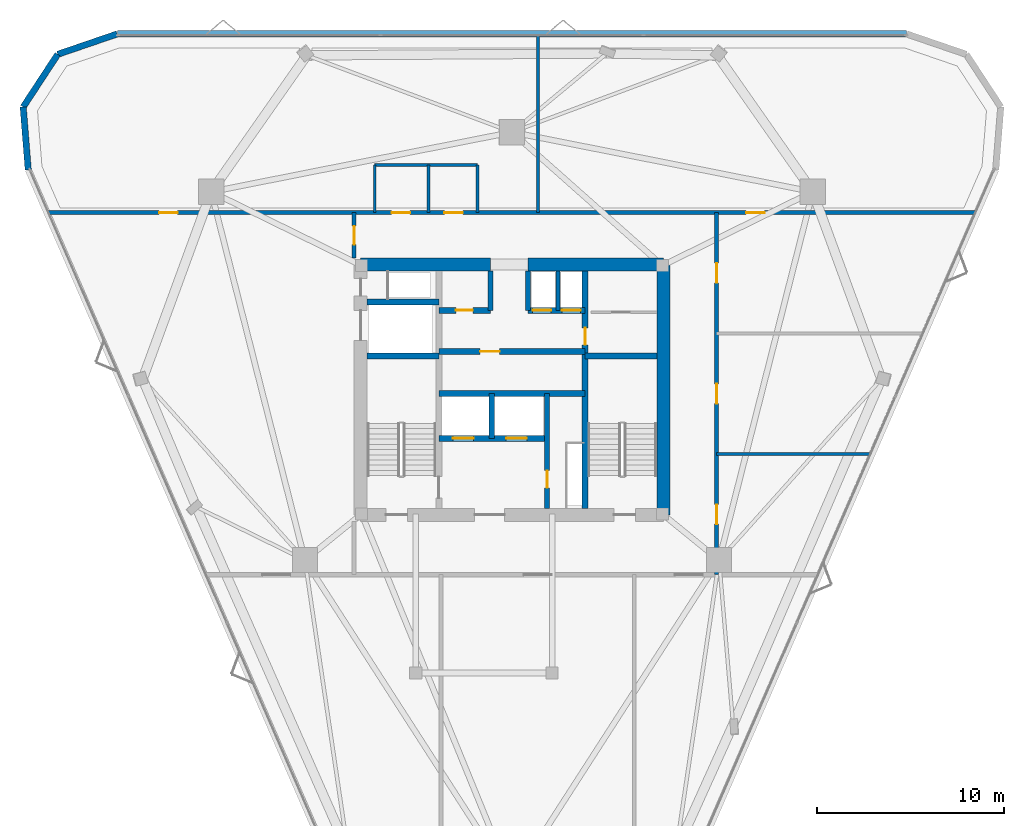
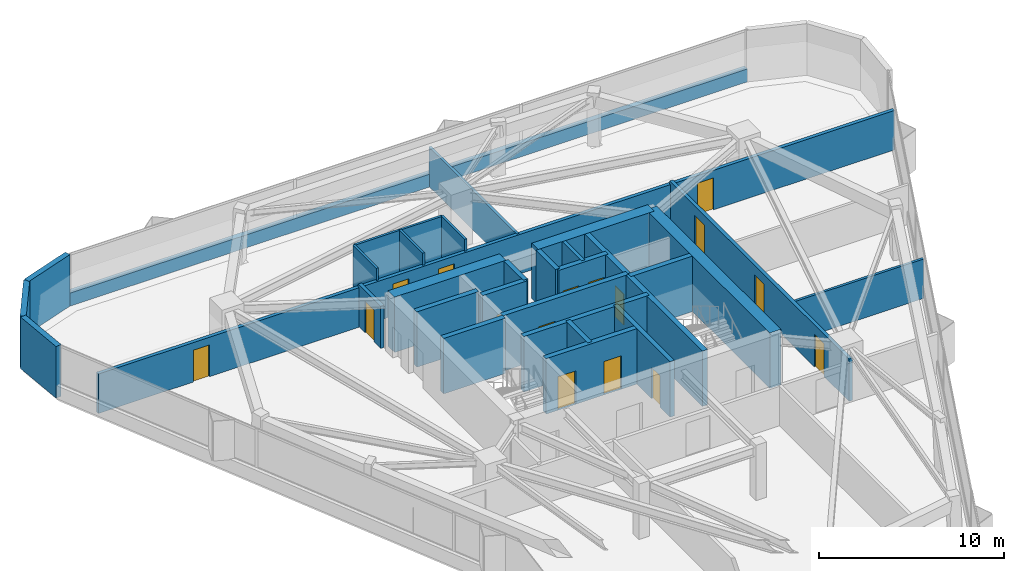
# One storey, part 10 of 13: 30 walls, 16 doors, 16 openings.
"""IFC4 building model written with IfcOpenShell, lengths in metres."""

from ifc_helpers import new_model, si_unit, direction, frame, frame_2d, origin, place, context, subcontext, project, spatial, rectangle, extrude, material, layer, layer_set, type_object, element, fill, save


model = new_model("IFC4")

# Units and contexts
model_context = context("Model", 3, precision=1e-05, world=origin(), true_north=direction((0.0, 1.0)))
body_context = subcontext(model_context, "Body", "Model", "MODEL_VIEW")
ifc_project = project(units=[si_unit("LENGTHUNIT", "METRE"), si_unit("AREAUNIT", "SQUARE_METRE"), si_unit("VOLUMEUNIT", "CUBIC_METRE"), si_unit("PLANEANGLEUNIT", "RADIAN"), si_unit("MASSUNIT", "GRAM", prefix="KILO")], contexts=[model_context])

# Site, building, storey
site_placement = place(None, origin())
site = spatial("IfcSite", under=ifc_project, at=site_placement, CompositionType="ELEMENT")
building_placement = place(site_placement, origin())
building = spatial("IfcBuilding", under=site, at=building_placement, Name="Talyreon Biosciences Tower", CompositionType="ELEMENT")
storey_placement = place(building_placement, frame((0.0, 0.0, 190.35009765625)))
storey = spatial("IfcBuildingStorey", under=building, at=storey_placement, Name="L50", CompositionType="ELEMENT", Elevation=190.35009765625)

# Walls
ifc_material_1 = material(Name="Concrete C50/60", Category="concrete")
ifc_layer_1 = layer(ifc_material_1, 0.219970703125)
ifc_layer_set_1 = layer_set([ifc_layer_1], Name="Concrete C50/60")
wall_type_1 = type_object("IfcWallType", Name="CoreShearWall_220", PredefinedType="SHEAR", material=ifc_layer_set_1)
wall_1_placement = place(storey_placement, frame((68.4599609375, 72.25, 0.0), z_axis=(0.0, 0.0, 1.0), x_axis=(0.0, 1.0, 0.0)))
element("IfcWall", 1, at=wall_1_placement, inside=storey, type_object=wall_type_1, Name="L50 Core Shaft Wall SWPHD", PredefinedType="SHEAR", context=body_context, shape_type="SweptSolid", body=[
    extrude(rectangle(XDim=2.10009765625, YDim=0.219970703125, at=frame_2d((1.050048828125, 0.0))), origin(), (0.0, 0.0, 1.0), 3.64990234375),
])
ifc_layer_2 = layer(ifc_material_1, 0.280029296875)
ifc_layer_set_2 = layer_set([ifc_layer_2], Name="Concrete C50/60")
wall_type_2 = type_object("IfcWallType", Name="CoreShearWall_280", PredefinedType="SHEAR", material=ifc_layer_set_2)
wall_2_placement = place(storey_placement, frame((64.919921875, 65.39990234375, 0.0), z_axis=(0.0, 0.0, 1.0), x_axis=(0.0, 1.0, 0.0)))
element("IfcWall", 2, at=wall_2_placement, inside=storey, type_object=wall_type_2, Name="L50 Core Shaft Wall SWSHD1", PredefinedType="SHEAR", context=body_context, shape_type="SweptSolid", body=[
    extrude(rectangle(XDim=2.400146484375, YDim=0.280029296875, at=frame_2d((1.2001953125, 0.0))), origin(), (0.0, 0.0, 1.0), 3.64990234375),
])
for number, where, z_axis, x_axis, name in (
    (3, (64.85009765625, 72.25, 0.0), (0.0, 0.0, 1.0), (0.0, 1.0, 0.0), "L50 Core Shaft Wall SWTHW"),
    (4, (66.85009765625, 72.25, 0.0), (0.0, 0.0, 1.0), (0.0, 1.0, 0.0), "L50 Core Shaft Wall SWTHE"),
):
    element("IfcWall", number, at=place(storey_placement, frame(where, z_axis=z_axis, x_axis=x_axis)), inside=storey, type_object=wall_type_2, Name=name, PredefinedType="SHEAR", context=body_context, shape_type="SweptSolid", body=[
        extrude(rectangle(XDim=2.10009765625, YDim=0.280029296875, at=frame_2d((1.050048828125, 0.0))), origin(), (0.0, 0.0, 1.0), 3.64990234375),
    ])

# Wall, opening, door
wall_3_placement = place(storey_placement, frame((67.8798828125, 61.64990234375, 0.0), z_axis=(0.0, 0.0, 1.0), x_axis=(0.0, 1.0, 0.0)))
wall_3 = element("IfcWall", 5, at=wall_3_placement, inside=storey, type_object=wall_type_2, Name="L50 Core Shaft Wall SWFFE", PredefinedType="SHEAR", context=body_context, shape_type="SweptSolid", body=[
    extrude(rectangle(XDim=6.150146484375, YDim=0.280029296875, at=frame_2d((3.0751953125, 0.0))), origin(), (0.0, 0.0, 1.0), 3.64990234375),
])
opening_1_placement = place(wall_3_placement, frame((1.10009765625, 0.0, 0.0)))
opening_1 = element("IfcOpeningElement", 6, at=opening_1_placement, cuts=wall_3, Name="Opening DR-L50-RSE", PredefinedType="OPENING", context=body_context, shape_type="SweptSolid", body=[
    extrude(rectangle(XDim=0.919921875, YDim=2.050048828125, at=frame_2d((0.4599609375, 1.02490234375))), frame((0.0, 0.14990234375, 0.0), z_axis=(0.0, -1.0, 0.0), x_axis=(1.0, 0.0, 0.0)), (0.0, 0.0, 1.0), 0.300048828125),
])
ifc_material_2 = material(Name="Painted steel fire-rated riser door", Category="steel")
door_type_1 = type_object("IfcDoorType", Name="RiserPlantAccessDoor_920x2050", OperationType="NOTDEFINED", PredefinedType="DOOR", material=ifc_material_2)
door_1_placement = place(opening_1_placement, origin())
door_1 = element("IfcDoor", 7, at=door_1_placement, inside=storey, type_object=door_type_1, Name="L50 Core Door DR-L50-RSE", OperationType="SINGLE_SWING_RIGHT", OverallHeight=2.050048828125, OverallWidth=0.919921875, PredefinedType="DOOR", context=body_context, shape_type="SweptSolid", body=[
    extrude(rectangle(XDim=0.919921875, YDim=2.050048828125, at=frame_2d((0.4599609375, 1.02490234375))), frame((0.0, 0.02490234375, 0.0), z_axis=(0.0, -1.0, 0.0), x_axis=(1.0, 0.0, 0.0)), (0.0, 0.0, 1.0), 0.050048828125),
])
fill(opening_1, door_1)

ifc_layer_3 = layer(ifc_material_1, 0.320068359375)
ifc_layer_set_3 = layer_set([ifc_layer_3], Name="Concrete C50/60")
wall_type_3 = type_object("IfcWallType", Name="CoreShearWall_320", PredefinedType="SHEAR", material=ifc_layer_set_3)
wall_4_placement = place(storey_placement, frame((69.909912109375, 61.64990234375, 0.0), z_axis=(0.0, 0.0, 1.0), x_axis=(0.0, 1.0, 0.0)))
wall_4 = element("IfcWall", 8, at=wall_4_placement, inside=storey, type_object=wall_type_3, Name="L50 Core Shaft Wall SW2W", PredefinedType="SHEAR", context=body_context, shape_type="SweptSolid", body=[
    extrude(rectangle(XDim=12.7001953125, YDim=0.320068359375, at=frame_2d((6.35009765625, 0.0))), origin(), (0.0, 0.0, 1.0), 3.64990234375),
])
opening_2_placement = place(wall_4_placement, frame((8.75, 0.0, 0.0)))
opening_2 = element("IfcOpeningElement", 9, at=opening_2_placement, cuts=wall_4, Name="Opening DR-L50-CSRV", PredefinedType="OPENING", context=body_context, shape_type="SweptSolid", body=[
    extrude(rectangle(XDim=0.919921875, YDim=2.050048828125, at=frame_2d((0.4599609375, 1.02490234375))), frame((0.0, 0.169921875, 0.0), z_axis=(0.0, -1.0, 0.0), x_axis=(1.0, 0.0, 0.0)), (0.0, 0.0, 1.0), 0.340087890625),
])
door_2_placement = place(opening_2_placement, origin())
door_2 = element("IfcDoor", 10, at=door_2_placement, inside=storey, type_object=door_type_1, Name="L50 Core Door DR-L50-CSRV", OperationType="SINGLE_SWING_RIGHT", OverallHeight=2.050048828125, OverallWidth=0.919921875, PredefinedType="DOOR", context=body_context, shape_type="SweptSolid", body=[
    extrude(rectangle(XDim=0.919921875, YDim=2.050048828125, at=frame_2d((0.4599609375, 1.02490234375))), frame((0.0, 0.02490234375, 0.0), z_axis=(0.0, -1.0, 0.0), x_axis=(1.0, 0.0, 0.0)), (0.0, 0.0, 1.0), 0.050048828125),
])
fill(opening_2, door_2)

# Walls
for number, where, z_axis, x_axis, name in (
    (11, (58.25, 69.81005859375, 0.0), (0.0, 0.0, 1.0), (1.0, 0.0, 0.0), "L50 Core Shaft Wall SW1N"),
    (12, (69.909912109375, 69.81005859375, 0.0), (0.0, 0.0, 1.0), (1.0, 0.0, 0.0), "L50 Core Shaft Wall SW2N"),
    (13, (58.25, 72.699951171875, 0.0), (0.0, 0.0, 1.0), (1.0, 0.0, 0.0), "L50 Core Shaft Wall SWGLN"),
):
    element("IfcWall", number, at=place(storey_placement, frame(where, z_axis=z_axis, x_axis=x_axis)), inside=storey, type_object=wall_type_3, Name=name, PredefinedType="SHEAR", context=body_context, shape_type="SweptSolid", body=[
        extrude(rectangle(XDim=3.840087890625, YDim=0.320068359375, at=frame_2d((1.919921875, 0.0))), origin(), (0.0, 0.0, 1.0), 3.64990234375),
    ])
wall_5_placement = place(storey_placement, frame((62.090087890625, 67.800048828125, 0.0), z_axis=(0.0, 0.0, 1.0), x_axis=(1.0, 0.0, 0.0)))
element("IfcWall", 14, at=wall_5_placement, inside=storey, type_object=wall_type_3, Name="L50 Core Shaft Wall SWSHM", PredefinedType="SHEAR", context=body_context, shape_type="SweptSolid", body=[
    extrude(rectangle(XDim=7.81982421875, YDim=0.320068359375, at=frame_2d((3.909912109375, 0.0))), origin(), (0.0, 0.0, 1.0), 3.64990234375),
])

# Wall, opening, door
wall_6_placement = place(storey_placement, frame((62.090087890625, 70.050048828125, 0.0), z_axis=(0.0, 0.0, 1.0), x_axis=(1.0, 0.0, 0.0)))
wall_6 = element("IfcWall", 15, at=wall_6_placement, inside=storey, type_object=wall_type_3, Name="L50 Core Shaft Wall SWSPN", PredefinedType="SHEAR", context=body_context, shape_type="SweptSolid", body=[
    extrude(rectangle(XDim=7.81982421875, YDim=0.320068359375, at=frame_2d((3.909912109375, 0.0))), origin(), (0.0, 0.0, 1.0), 3.64990234375),
])
opening_3_placement = place(wall_6_placement, frame((2.199951171875, 0.0, 0.0)))
opening_3 = element("IfcOpeningElement", 16, at=opening_3_placement, cuts=wall_6, Name="Opening DR-L50-PLPMFREE", PredefinedType="OPENING", context=body_context, shape_type="SweptSolid", body=[
    extrude(rectangle(XDim=1.050048828125, YDim=2.14990234375, at=frame_2d((0.52490234375, 1.074951171875))), frame((0.0, 0.169921875, 0.0), z_axis=(0.0, -1.0, 0.0), x_axis=(1.0, 0.0, 0.0)), (0.0, 0.0, 1.0), 0.340087890625),
])
ifc_material_3 = material(Name="Acoustic timber-core laboratory door", Category="wood")
door_type_2 = type_object("IfcDoorType", Name="DryLabSingleDoor_1050x2150", OperationType="NOTDEFINED", PredefinedType="DOOR", material=ifc_material_3)
door_3_placement = place(opening_3_placement, origin())
door_3 = element("IfcDoor", 17, at=door_3_placement, inside=storey, type_object=door_type_2, Name="L50 Core Door DR-L50-PLPMFREE", OperationType="SINGLE_SWING_LEFT", OverallHeight=2.14990234375, OverallWidth=1.050048828125, PredefinedType="DOOR", context=body_context, shape_type="SweptSolid", body=[
    extrude(rectangle(XDim=1.050048828125, YDim=2.14990234375, at=frame_2d((0.52490234375, 1.074951171875))), frame((0.0, 0.02490234375, 0.0), z_axis=(0.0, -1.0, 0.0), x_axis=(1.0, 0.0, 0.0)), (0.0, 0.0, 1.0), 0.050048828125),
])
fill(opening_3, door_3)

wall_7_placement = place(storey_placement, frame((62.090087890625, 72.25, 0.0), z_axis=(0.0, 0.0, 1.0), x_axis=(1.0, 0.0, 0.0)))
wall_7 = element("IfcWall", 18, at=wall_7_placement, inside=storey, type_object=wall_type_3, Name="L50 Core Shaft Wall SWNPW", PredefinedType="SHEAR", context=body_context, shape_type="SweptSolid", body=[
    extrude(rectangle(XDim=2.760009765625, YDim=0.320068359375, at=frame_2d((1.3798828125, 0.0))), origin(), (0.0, 0.0, 1.0), 3.64990234375),
])
opening_4_placement = place(wall_7_placement, frame((0.89990234375, 0.0, 0.0)))
opening_4 = element("IfcOpeningElement", 19, at=opening_4_placement, cuts=wall_7, Name="Opening DR-L50-PM2FREE", PredefinedType="OPENING", context=body_context, shape_type="SweptSolid", body=[
    extrude(rectangle(XDim=0.919921875, YDim=2.050048828125, at=frame_2d((0.4599609375, 1.02490234375))), frame((0.0, 0.169921875, 0.0), z_axis=(0.0, -1.0, 0.0), x_axis=(1.0, 0.0, 0.0)), (0.0, 0.0, 1.0), 0.340087890625),
])
door_4_placement = place(opening_4_placement, origin())
door_4 = element("IfcDoor", 20, at=door_4_placement, inside=storey, type_object=door_type_1, Name="L50 Core Door DR-L50-PM2FREE", OperationType="SINGLE_SWING_RIGHT", OverallHeight=2.050048828125, OverallWidth=0.919921875, PredefinedType="DOOR", context=body_context, shape_type="SweptSolid", body=[
    extrude(rectangle(XDim=0.919921875, YDim=2.050048828125, at=frame_2d((0.4599609375, 1.02490234375))), frame((0.0, 0.02490234375, 0.0), z_axis=(0.0, -1.0, 0.0), x_axis=(1.0, 0.0, 0.0)), (0.0, 0.0, 1.0), 0.050048828125),
])
fill(opening_4, door_4)

# Wall, openings, doors
wall_8_placement = place(storey_placement, frame((66.85009765625, 72.25, 0.0), z_axis=(0.0, 0.0, 1.0), x_axis=(1.0, 0.0, 0.0)))
wall_8 = element("IfcWall", 21, at=wall_8_placement, inside=storey, type_object=wall_type_3, Name="L50 Core Shaft Wall SWNPE", PredefinedType="SHEAR", context=body_context, shape_type="SweptSolid", body=[
    extrude(rectangle(XDim=3.059814453125, YDim=0.320068359375, at=frame_2d((1.52978515625, 0.0))), origin(), (0.0, 0.0, 1.0), 3.64990234375),
])
opening_5_placement = place(wall_8_placement, frame((0.25, 0.0, 0.0)))
opening_5 = element("IfcOpeningElement", 22, at=opening_5_placement, cuts=wall_8, Name="Opening LD-L50-PH1", PredefinedType="OPENING", context=body_context, shape_type="SweptSolid", body=[
    extrude(rectangle(XDim=1.0, YDim=2.199951171875, at=frame_2d((0.5, 1.10009765625))), frame((0.0, 0.169921875, 0.0), z_axis=(0.0, -1.0, 0.0), x_axis=(1.0, 0.0, 0.0)), (0.0, 0.0, 1.0), 0.340087890625),
])
opening_6_placement = place(wall_8_placement, frame((1.820068359375, 0.0, 0.0)))
opening_6 = element("IfcOpeningElement", 23, at=opening_6_placement, cuts=wall_8, Name="Opening LD-L50-PH2", PredefinedType="OPENING", context=body_context, shape_type="SweptSolid", body=[
    extrude(rectangle(XDim=1.0, YDim=2.199951171875, at=frame_2d((0.5, 1.10009765625))), frame((0.0, 0.169921875, 0.0), z_axis=(0.0, -1.0, 0.0), x_axis=(1.0, 0.0, 0.0)), (0.0, 0.0, 1.0), 0.340087890625),
])
ifc_material_4 = material(Name="Brushed stainless-steel lift landing door", Category="steel")
door_type_3 = type_object("IfcDoorType", Name="LiftSlidingLandingDoor_1100x2200", OperationType="SLIDING_TO_LEFT", PredefinedType="DOOR", material=ifc_material_4)
door_5_placement = place(opening_5_placement, origin())
door_5 = element("IfcDoor", 24, at=door_5_placement, inside=storey, type_object=door_type_3, Name="L50 Core Door LD-L50-PH1", OperationType="SLIDING_TO_LEFT", OverallHeight=2.199951171875, OverallWidth=1.0, PredefinedType="DOOR", context=body_context, shape_type="SweptSolid", body=[
    extrude(rectangle(XDim=1.0, YDim=2.199951171875, at=frame_2d((0.5, 1.10009765625))), frame((0.0, 0.02490234375, 0.0), z_axis=(0.0, -1.0, 0.0), x_axis=(1.0, 0.0, 0.0)), (0.0, 0.0, 1.0), 0.050048828125),
])
fill(opening_5, door_5)
door_6_placement = place(opening_6_placement, origin())
door_6 = element("IfcDoor", 25, at=door_6_placement, inside=storey, type_object=door_type_3, Name="L50 Core Door LD-L50-PH2", OperationType="SLIDING_TO_LEFT", OverallHeight=2.199951171875, OverallWidth=1.0, PredefinedType="DOOR", context=body_context, shape_type="SweptSolid", body=[
    extrude(rectangle(XDim=1.0, YDim=2.199951171875, at=frame_2d((0.5, 1.10009765625))), frame((0.0, 0.02490234375, 0.0), z_axis=(0.0, -1.0, 0.0), x_axis=(1.0, 0.0, 0.0)), (0.0, 0.0, 1.0), 0.050048828125),
])
fill(opening_6, door_6)

wall_9_placement = place(storey_placement, frame((62.090087890625, 65.39990234375, 0.0), z_axis=(0.0, 0.0, 1.0), x_axis=(1.0, 0.0, 0.0)))
wall_9 = element("IfcWall", 26, at=wall_9_placement, inside=storey, type_object=wall_type_3, Name="L50 Core Shaft Wall SWFFN", PredefinedType="SHEAR", context=body_context, shape_type="SweptSolid", body=[
    extrude(rectangle(XDim=5.789794921875, YDim=0.320068359375, at=frame_2d((2.89501953125, 0.0))), origin(), (0.0, 0.0, 1.0), 3.64990234375),
])
opening_7_placement = place(wall_9_placement, frame((0.75, 0.0, 0.0)))
opening_7 = element("IfcOpeningElement", 27, at=opening_7_placement, cuts=wall_9, Name="Opening LD-L50-FL1", PredefinedType="OPENING", context=body_context, shape_type="SweptSolid", body=[
    extrude(rectangle(XDim=1.10009765625, YDim=2.199951171875, at=frame_2d((0.550048828125, 1.10009765625))), frame((0.0, 0.169921875, 0.0), z_axis=(0.0, -1.0, 0.0), x_axis=(1.0, 0.0, 0.0)), (0.0, 0.0, 1.0), 0.340087890625),
])
opening_8_placement = place(wall_9_placement, frame((3.60009765625, 0.0, 0.0)))
opening_8 = element("IfcOpeningElement", 28, at=opening_8_placement, cuts=wall_9, Name="Opening LD-L50-FL2", PredefinedType="OPENING", context=body_context, shape_type="SweptSolid", body=[
    extrude(rectangle(XDim=1.10009765625, YDim=2.199951171875, at=frame_2d((0.550048828125, 1.10009765625))), frame((0.0, 0.169921875, 0.0), z_axis=(0.0, -1.0, 0.0), x_axis=(1.0, 0.0, 0.0)), (0.0, 0.0, 1.0), 0.340087890625),
])
door_7_placement = place(opening_7_placement, origin())
door_7 = element("IfcDoor", 29, at=door_7_placement, inside=storey, type_object=door_type_3, Name="L50 Core Door LD-L50-FL1", OperationType="SLIDING_TO_LEFT", OverallHeight=2.199951171875, OverallWidth=1.10009765625, PredefinedType="DOOR", context=body_context, shape_type="SweptSolid", body=[
    extrude(rectangle(XDim=1.10009765625, YDim=2.199951171875, at=frame_2d((0.550048828125, 1.10009765625))), frame((0.0, 0.02490234375, 0.0), z_axis=(0.0, -1.0, 0.0), x_axis=(1.0, 0.0, 0.0)), (0.0, 0.0, 1.0), 0.050048828125),
])
fill(opening_7, door_7)
door_8_placement = place(opening_8_placement, origin())
door_8 = element("IfcDoor", 30, at=door_8_placement, inside=storey, type_object=door_type_3, Name="L50 Core Door LD-L50-FL2", OperationType="SLIDING_TO_LEFT", OverallHeight=2.199951171875, OverallWidth=1.10009765625, PredefinedType="DOOR", context=body_context, shape_type="SweptSolid", body=[
    extrude(rectangle(XDim=1.10009765625, YDim=2.199951171875, at=frame_2d((0.550048828125, 1.10009765625))), frame((0.0, 0.02490234375, 0.0), z_axis=(0.0, -1.0, 0.0), x_axis=(1.0, 0.0, 0.0)), (0.0, 0.0, 1.0), 0.050048828125),
])
fill(opening_8, door_8)

# Walls
ifc_layer_4 = layer(ifc_material_1, 0.699951171875)
ifc_layer_set_4 = layer_set([ifc_layer_4], Name="Concrete C50/60")
wall_type_4 = type_object("IfcWallType", Name="CoreShearWall_700", PredefinedType="SHEAR", material=ifc_layer_set_4)
wall_10_placement = place(storey_placement, frame((74.10009765625, 61.300048828125, 0.0), z_axis=(0.0, 0.0, 1.0), x_axis=(0.0, 1.0, 0.0)))
element("IfcWall", 31, at=wall_10_placement, inside=storey, type_object=wall_type_4, Name="L50 Core Shear Wall E", PredefinedType="SHEAR", context=body_context, shape_type="SweptSolid", body=[
    extrude(rectangle(XDim=13.39990234375, YDim=0.699951171875, at=frame_2d((6.699951171875, 0.0))), origin(), (0.0, 0.0, 1.0), 3.64990234375),
])
wall_11_placement = place(storey_placement, frame((74.10009765625, 74.699951171875, 0.0), z_axis=(0.0, 0.0, 1.0), x_axis=(-1.0, 0.0, 0.0)))
element("IfcWall", 32, at=wall_11_placement, inside=storey, type_object=wall_type_4, Name="L50 Core Shear Wall NE", PredefinedType="SHEAR", context=body_context, shape_type="SweptSolid", body=[
    extrude(rectangle(XDim=7.25, YDim=0.699951171875, at=frame_2d((3.625, 0.0))), origin(), (0.0, 0.0, 1.0), 3.64990234375),
])
wall_12_placement = place(storey_placement, frame((64.85009765625, 74.699951171875, 0.0), z_axis=(0.0, 0.0, 1.0), x_axis=(-1.0, 0.0, 0.0)))
element("IfcWall", 33, at=wall_12_placement, inside=storey, type_object=wall_type_4, Name="L50 Core Shear Wall NW", PredefinedType="SHEAR", context=body_context, shape_type="SweptSolid", body=[
    extrude(rectangle(XDim=6.9501953125, YDim=0.699951171875, at=frame_2d((3.47509765625, 0.0))), origin(), (0.0, 0.0, 1.0), 3.64990234375),
])

# Wall, openings, doors
ifc_material_5 = material(Name="Gypsum fireboard acoustic stud", Category="gypsum")
ifc_layer_5 = layer(ifc_material_5, 0.219970703125)
ifc_layer_set_5 = layer_set([ifc_layer_5], Name="Gypsum fireboard acoustic stud")
wall_type_5 = type_object("IfcWallType", Name="CorridorRatedPartition_220", PredefinedType="PARTITIONING", material=ifc_layer_set_5)
wall_13_placement = place(storey_placement, frame((41.193115234375, 77.47998046875, 0.0), z_axis=(0.0, 0.0, 1.0), x_axis=(1.0, 0.0, 0.0)))
wall_13 = element("IfcWall", 34, at=wall_13_placement, inside=storey, type_object=wall_type_5, Name="L50 Interior Wall IW-L50-COR-N", PredefinedType="PARTITIONING", context=body_context, shape_type="SweptSolid", body=[
    extrude(rectangle(XDim=49.61376953125, YDim=0.219970703125, at=frame_2d((24.806884765625, 0.0))), origin(), (0.0, 0.0, 1.0), 2.599853515625),
])
opening_9_placement = place(wall_13_placement, frame((18.366943359375, 0.0, 0.0)))
opening_9 = element("IfcOpeningElement", 35, at=opening_9_placement, cuts=wall_13, Name="Opening DR-L50-WC", PredefinedType="OPENING", context=body_context, shape_type="SweptSolid", body=[
    extrude(rectangle(XDim=0.97998046875, YDim=2.10009765625, at=frame_2d((0.489990234375, 1.050048828125))), frame((0.0, 0.119873046875, 0.0), z_axis=(0.0, -1.0, 0.0), x_axis=(1.0, 0.0, 0.0)), (0.0, 0.0, 1.0), 0.239990234375),
])
opening_10_placement = place(wall_13_placement, frame((21.19189453125, 0.0, 0.0)))
opening_10 = element("IfcOpeningElement", 36, at=opening_10_placement, cuts=wall_13, Name="Opening DR-L50-AWC", PredefinedType="OPENING", context=body_context, shape_type="SweptSolid", body=[
    extrude(rectangle(XDim=0.97998046875, YDim=2.10009765625, at=frame_2d((0.489990234375, 1.050048828125))), frame((0.0, 0.119873046875, 0.0), z_axis=(0.0, -1.0, 0.0), x_axis=(1.0, 0.0, 0.0)), (0.0, 0.0, 1.0), 0.239990234375),
])
opening_11_placement = place(wall_13_placement, frame((5.909912109375, 0.0, 0.0)))
opening_11 = element("IfcOpeningElement", 37, at=opening_11_placement, cuts=wall_13, Name="Opening DR-L50-N1A", PredefinedType="OPENING", context=body_context, shape_type="SweptSolid", body=[
    extrude(rectangle(XDim=1.0, YDim=2.10009765625, at=frame_2d((0.5, 1.050048828125))), frame((0.0, 0.119873046875, 0.0), z_axis=(0.0, -1.0, 0.0), x_axis=(1.0, 0.0, 0.0)), (0.0, 0.0, 1.0), 0.239990234375),
])
opening_12_placement = place(wall_13_placement, frame((37.3359375, 0.0, 0.0)))
opening_12 = element("IfcOpeningElement", 38, at=opening_12_placement, cuts=wall_13, Name="Opening DR-L50-N2A", PredefinedType="OPENING", context=body_context, shape_type="SweptSolid", body=[
    extrude(rectangle(XDim=1.0, YDim=2.10009765625, at=frame_2d((0.5, 1.050048828125))), frame((0.0, 0.119873046875, 0.0), z_axis=(0.0, -1.0, 0.0), x_axis=(1.0, 0.0, 0.0)), (0.0, 0.0, 1.0), 0.239990234375),
])
ifc_material_6 = material(Name="Laminate moisture-resistant door", Category="wood")
door_type_4 = type_object("IfcDoorType", Name="AccessibleToiletDoor_980x2100", OperationType="NOTDEFINED", PredefinedType="DOOR", material=ifc_material_6)
door_9_placement = place(opening_9_placement, origin())
door_9 = element("IfcDoor", 39, at=door_9_placement, inside=storey, type_object=door_type_4, Name="L50 Interior Door DR-L50-WC", OperationType="SINGLE_SWING_RIGHT", OverallHeight=2.10009765625, OverallWidth=0.97998046875, PredefinedType="DOOR", context=body_context, shape_type="SweptSolid", body=[
    extrude(rectangle(XDim=0.97998046875, YDim=2.10009765625, at=frame_2d((0.489990234375, 1.050048828125))), frame((0.0, 0.02490234375, 0.0), z_axis=(0.0, -1.0, 0.0), x_axis=(1.0, 0.0, 0.0)), (0.0, 0.0, 1.0), 0.050048828125),
])
fill(opening_9, door_9)
door_10_placement = place(opening_10_placement, origin())
door_10 = element("IfcDoor", 40, at=door_10_placement, inside=storey, type_object=door_type_4, Name="L50 Interior Door DR-L50-AWC", OperationType="SINGLE_SWING_RIGHT", OverallHeight=2.10009765625, OverallWidth=0.97998046875, PredefinedType="DOOR", context=body_context, shape_type="SweptSolid", body=[
    extrude(rectangle(XDim=0.97998046875, YDim=2.10009765625, at=frame_2d((0.489990234375, 1.050048828125))), frame((0.0, 0.02490234375, 0.0), z_axis=(0.0, -1.0, 0.0), x_axis=(1.0, 0.0, 0.0)), (0.0, 0.0, 1.0), 0.050048828125),
])
fill(opening_10, door_10)
ifc_material_7 = material(Name="Acoustic oak veneer office door", Category="wood")
door_type_5 = type_object("IfcDoorType", Name="WriteupOfficeDoor_1000x2100", OperationType="NOTDEFINED", PredefinedType="DOOR", material=ifc_material_7)
door_11_placement = place(opening_11_placement, origin())
door_11 = element("IfcDoor", 41, at=door_11_placement, inside=storey, type_object=door_type_5, Name="L50 Interior Door DR-L50-N1A", OperationType="SINGLE_SWING_LEFT", OverallHeight=2.10009765625, OverallWidth=1.0, PredefinedType="DOOR", context=body_context, shape_type="SweptSolid", body=[
    extrude(rectangle(XDim=1.0, YDim=2.10009765625, at=frame_2d((0.5, 1.050048828125))), frame((0.0, 0.02490234375, 0.0), z_axis=(0.0, -1.0, 0.0), x_axis=(1.0, 0.0, 0.0)), (0.0, 0.0, 1.0), 0.050048828125),
])
fill(opening_11, door_11)
door_12_placement = place(opening_12_placement, origin())
door_12 = element("IfcDoor", 42, at=door_12_placement, inside=storey, type_object=door_type_5, Name="L50 Interior Door DR-L50-N2A", OperationType="SINGLE_SWING_LEFT", OverallHeight=2.10009765625, OverallWidth=1.0, PredefinedType="DOOR", context=body_context, shape_type="SweptSolid", body=[
    extrude(rectangle(XDim=1.0, YDim=2.10009765625, at=frame_2d((0.5, 1.050048828125))), frame((0.0, 0.02490234375, 0.0), z_axis=(0.0, -1.0, 0.0), x_axis=(1.0, 0.0, 0.0)), (0.0, 0.0, 1.0), 0.050048828125),
])
fill(opening_12, door_12)

# Wall, opening, door
wall_14_placement = place(storey_placement, frame((57.550048828125, 75.050048828125, 0.0), z_axis=(0.0, 0.0, 1.0), x_axis=(0.0, 1.0, 0.0)))
wall_14 = element("IfcWall", 43, at=wall_14_placement, inside=storey, type_object=wall_type_5, Name="L50 Interior Wall IW-L50-WCAP-N", PredefinedType="PARTITIONING", context=body_context, shape_type="SweptSolid", body=[
    extrude(rectangle(XDim=2.429931640625, YDim=0.219970703125, at=frame_2d((1.21484375, 0.0))), origin(), (0.0, 0.0, 1.0), 2.77978515625),
])
opening_13_placement = place(wall_14_placement, frame((0.715087890625, 0.0, 0.0)))
opening_13 = element("IfcOpeningElement", 44, at=opening_13_placement, cuts=wall_14, Name="Opening DR-L50-W1A", PredefinedType="OPENING", context=body_context, shape_type="SweptSolid", body=[
    extrude(rectangle(XDim=1.0, YDim=2.10009765625, at=frame_2d((0.5, 1.050048828125))), frame((0.0, 0.119873046875, 0.0), z_axis=(0.0, -1.0, 0.0), x_axis=(1.0, 0.0, 0.0)), (0.0, 0.0, 1.0), 0.239990234375),
])
door_13_placement = place(opening_13_placement, origin())
door_13 = element("IfcDoor", 45, at=door_13_placement, inside=storey, type_object=door_type_5, Name="L50 Interior Door DR-L50-W1A", OperationType="SINGLE_SWING_RIGHT", OverallHeight=2.10009765625, OverallWidth=1.0, PredefinedType="DOOR", context=body_context, shape_type="SweptSolid", body=[
    extrude(rectangle(XDim=1.0, YDim=2.10009765625, at=frame_2d((0.5, 1.050048828125))), frame((0.0, 0.02490234375, 0.0), z_axis=(0.0, -1.0, 0.0), x_axis=(1.0, 0.0, 0.0)), (0.0, 0.0, 1.0), 0.050048828125),
])
fill(opening_13, door_13)

# Wall, openings, doors
wall_15_placement = place(storey_placement, frame((76.949951171875, 58.10009765625, 0.0), z_axis=(0.0, 0.0, 1.0), x_axis=(0.0, 1.0, 0.0)))
wall_15 = element("IfcWall", 46, at=wall_15_placement, inside=storey, type_object=wall_type_5, Name="L50 Interior Wall IW-L50-COR-E", PredefinedType="PARTITIONING", context=body_context, shape_type="SweptSolid", body=[
    extrude(rectangle(XDim=19.3798828125, YDim=0.219970703125, at=frame_2d((9.68994140625, 0.0))), origin(), (0.0, 0.0, 1.0), 2.77978515625),
])
opening_14_placement = place(wall_15_placement, frame((2.705078125, 0.0, 0.0)))
opening_14 = element("IfcOpeningElement", 47, at=opening_14_placement, cuts=wall_15, Name="Opening DR-L50-E1A", PredefinedType="OPENING", context=body_context, shape_type="SweptSolid", body=[
    extrude(rectangle(XDim=1.050048828125, YDim=2.14990234375, at=frame_2d((0.52490234375, 1.074951171875))), frame((0.0, 0.119873046875, 0.0), z_axis=(0.0, -1.0, 0.0), x_axis=(1.0, 0.0, 0.0)), (0.0, 0.0, 1.0), 0.239990234375),
])
opening_15_placement = place(wall_15_placement, frame((9.1650390625, 0.0, 0.0)))
opening_15 = element("IfcOpeningElement", 48, at=opening_15_placement, cuts=wall_15, Name="Opening DR-L50-E2A", PredefinedType="OPENING", context=body_context, shape_type="SweptSolid", body=[
    extrude(rectangle(XDim=1.050048828125, YDim=2.14990234375, at=frame_2d((0.52490234375, 1.074951171875))), frame((0.0, 0.119873046875, 0.0), z_axis=(0.0, -1.0, 0.0), x_axis=(1.0, 0.0, 0.0)), (0.0, 0.0, 1.0), 0.239990234375),
])
opening_16_placement = place(wall_15_placement, frame((15.625, 0.0, 0.0)))
opening_16 = element("IfcOpeningElement", 49, at=opening_16_placement, cuts=wall_15, Name="Opening DR-L50-E3A", PredefinedType="OPENING", context=body_context, shape_type="SweptSolid", body=[
    extrude(rectangle(XDim=1.050048828125, YDim=2.14990234375, at=frame_2d((0.52490234375, 1.074951171875))), frame((0.0, 0.119873046875, 0.0), z_axis=(0.0, -1.0, 0.0), x_axis=(1.0, 0.0, 0.0)), (0.0, 0.0, 1.0), 0.239990234375),
])
door_14_placement = place(opening_14_placement, origin())
door_14 = element("IfcDoor", 50, at=door_14_placement, inside=storey, type_object=door_type_2, Name="L50 Interior Door DR-L50-E1A", OperationType="SINGLE_SWING_LEFT", OverallHeight=2.14990234375, OverallWidth=1.050048828125, PredefinedType="DOOR", context=body_context, shape_type="SweptSolid", body=[
    extrude(rectangle(XDim=1.050048828125, YDim=2.14990234375, at=frame_2d((0.52490234375, 1.074951171875))), frame((0.0, 0.02490234375, 0.0), z_axis=(0.0, -1.0, 0.0), x_axis=(1.0, 0.0, 0.0)), (0.0, 0.0, 1.0), 0.050048828125),
])
fill(opening_14, door_14)
door_15_placement = place(opening_15_placement, origin())
door_15 = element("IfcDoor", 51, at=door_15_placement, inside=storey, type_object=door_type_2, Name="L50 Interior Door DR-L50-E2A", OperationType="SINGLE_SWING_LEFT", OverallHeight=2.14990234375, OverallWidth=1.050048828125, PredefinedType="DOOR", context=body_context, shape_type="SweptSolid", body=[
    extrude(rectangle(XDim=1.050048828125, YDim=2.14990234375, at=frame_2d((0.52490234375, 1.074951171875))), frame((0.0, 0.02490234375, 0.0), z_axis=(0.0, -1.0, 0.0), x_axis=(1.0, 0.0, 0.0)), (0.0, 0.0, 1.0), 0.050048828125),
])
fill(opening_15, door_15)
door_16_placement = place(opening_16_placement, origin())
door_16 = element("IfcDoor", 52, at=door_16_placement, inside=storey, type_object=door_type_2, Name="L50 Interior Door DR-L50-E3A", OperationType="SINGLE_SWING_RIGHT", OverallHeight=2.14990234375, OverallWidth=1.050048828125, PredefinedType="DOOR", context=body_context, shape_type="SweptSolid", body=[
    extrude(rectangle(XDim=1.050048828125, YDim=2.14990234375, at=frame_2d((0.52490234375, 1.074951171875))), frame((0.0, 0.02490234375, 0.0), z_axis=(0.0, -1.0, 0.0), x_axis=(1.0, 0.0, 0.0)), (0.0, 0.0, 1.0), 0.050048828125),
])
fill(opening_16, door_16)

# Walls
ifc_material_8 = material(Name="Gypsum acoustic stud partition", Category="gypsum")
ifc_layer_6 = layer(ifc_material_8, 0.159912109375)
ifc_layer_set_6 = layer_set([ifc_layer_6], Name="Gypsum acoustic stud partition")
wall_type_6 = type_object("IfcWallType", Name="LabSeparationPartition_160", PredefinedType="PARTITIONING", material=ifc_layer_set_6)
wall_16_placement = place(storey_placement, frame((67.39990234375, 77.47998046875, 0.0), z_axis=(0.0, 0.0, 1.0), x_axis=(0.0, 1.0, 0.0)))
element("IfcWall", 53, at=wall_16_placement, inside=storey, type_object=wall_type_6, Name="L50 Interior Wall IW-L50-NDIV1", PredefinedType="PARTITIONING", context=body_context, shape_type="SweptSolid", body=[
    extrude(rectangle(XDim=9.487060546875, YDim=0.159912109375, at=frame_2d((4.74365234375, 0.0))), origin(), (0.0, 0.0, 1.0), 2.599853515625),
])
wall_17_placement = place(storey_placement, frame((76.949951171875, 64.56005859375, 0.0), z_axis=(0.0, 0.0, 1.0), x_axis=(1.0, 0.0, 0.0)))
element("IfcWall", 54, at=wall_17_placement, inside=storey, type_object=wall_type_6, Name="L50 Interior Wall IW-L50-EDIV1", PredefinedType="PARTITIONING", context=body_context, shape_type="SweptSolid", body=[
    extrude(rectangle(XDim=8.2373046875, YDim=0.159912109375, at=frame_2d((4.11865234375, 0.0))), origin(), (0.0, 0.0, 1.0), 2.599853515625),
])
ifc_material_9 = material(Name="Precast concrete C45/55", Category="concrete")
ifc_layer_7 = layer(ifc_material_9, 0.340087890625)
ifc_layer_set_7 = layer_set([ifc_layer_7], Name="Precast concrete C45/55")
wall_type_7 = type_object("IfcWallType", Name="PrecastConcreteSpandrelWall_340", PredefinedType="STANDARD", material=ifc_layer_set_7)
wall_18_placement = place(storey_placement, frame((40.100830078125, 79.778076171875, 0.0), z_axis=(0.0, 0.0, 1.0), x_axis=(-0.080012871035, 0.996793830473, 0.0)))
element("IfcWall", 55, at=wall_18_placement, inside=storey, type_object=wall_type_7, Name="L50 Rounded-Corner Concrete Pier 01", PredefinedType="STANDARD", context=body_context, shape_type="SweptSolid", body=[
    extrude(rectangle(XDim=3.37158203125, YDim=0.340087890625, at=frame_2d((1.685791015625, 0.0))), origin(), (0.0, 0.0, 1.0), 3.39990234375),
])
wall_19_placement = place(storey_placement, frame((39.8310546875, 83.138916015625, 0.0), z_axis=(0.0, 0.0, 1.0), x_axis=(0.548234112363, 0.836324911767, 0.0)))
element("IfcWall", 56, at=wall_19_placement, inside=storey, type_object=wall_type_7, Name="L50 Rounded-Corner Concrete Pier 02", PredefinedType="STANDARD", context=body_context, shape_type="SweptSolid", body=[
    extrude(rectangle(XDim=3.3720703125, YDim=0.340087890625, at=frame_2d((1.68603515625, 0.0))), origin(), (0.0, 0.0, 1.0), 3.39990234375),
])
wall_20_placement = place(storey_placement, frame((41.6796875, 85.958984375, 0.0), z_axis=(0.0, 0.0, 1.0), x_axis=(0.945999881237, 0.324166970402, 0.0)))
element("IfcWall", 57, at=wall_20_placement, inside=storey, type_object=wall_type_7, Name="L50 Rounded-Corner Concrete Pier 03", PredefinedType="STANDARD", context=body_context, shape_type="SweptSolid", body=[
    extrude(rectangle(XDim=3.371826171875, YDim=0.340087890625, at=frame_2d((1.68603515625, 0.0))), origin(), (0.0, 0.0, 1.0), 3.39990234375),
])
wall_21_placement = place(storey_placement, frame((44.869384765625, 87.052001953125, 0.0), z_axis=(0.0, 0.0, 1.0), x_axis=(1.0, 0.0, 0.0)))
element("IfcWall", 58, at=wall_21_placement, inside=storey, type_object=wall_type_7, Name="L50 Expressed Concrete Sill Wall 04", PredefinedType="STANDARD", context=body_context, shape_type="SweptSolid", body=[
    extrude(rectangle(XDim=42.261474609375, YDim=0.340087890625, at=frame_2d((21.130859375, 0.0))), origin(), (0.0, 0.0, 1.0), 0.849853515625),
])
ifc_material_10 = material(Name="Moisture-resistant cement-board stud", Category="gypsum")
ifc_layer_8 = layer(ifc_material_10, 0.14501953125)
ifc_layer_set_8 = layer_set([ifc_layer_8], Name="Moisture-resistant cement-board stud")
wall_type_8 = type_object("IfcWallType", Name="WetRoomPartition_145", PredefinedType="PARTITIONING", material=ifc_layer_set_8)
for number, where, z_axis, x_axis, name in (
    (59, (58.64990234375, 77.47998046875, 0.0), (0.0, 0.0, 1.0), (0.0, 1.0, 0.0), "L50 Interior Wall IW-L50-WCL"),
    (60, (61.52490234375, 77.47998046875, 0.0), (0.0, 0.0, 1.0), (0.0, 1.0, 0.0), "L50 Interior Wall IW-L50-WCM"),
    (61, (64.14990234375, 77.47998046875, 0.0), (0.0, 0.0, 1.0), (0.0, 1.0, 0.0), "L50 Interior Wall IW-L50-WCR"),
):
    element("IfcWall", number, at=place(storey_placement, frame(where, z_axis=z_axis, x_axis=x_axis)), inside=storey, type_object=wall_type_8, Name=name, PredefinedType="PARTITIONING", context=body_context, shape_type="SweptSolid", body=[
        extrude(rectangle(XDim=2.550048828125, YDim=0.14501953125, at=frame_2d((1.27490234375, 0.0))), origin(), (0.0, 0.0, 1.0), 3.39990234375),
    ])
wall_22_placement = place(storey_placement, frame((58.64990234375, 80.030029296875, 0.0), z_axis=(0.0, 0.0, 1.0), x_axis=(1.0, 0.0, 0.0)))
element("IfcWall", 62, at=wall_22_placement, inside=storey, type_object=wall_type_8, Name="L50 Interior Wall IW-L50-WCT", PredefinedType="PARTITIONING", context=body_context, shape_type="SweptSolid", body=[
    extrude(rectangle(XDim=5.5, YDim=0.14501953125, at=frame_2d((2.75, 0.0))), origin(), (0.0, 0.0, 1.0), 3.39990234375),
])

save(model, "model.ifc")
